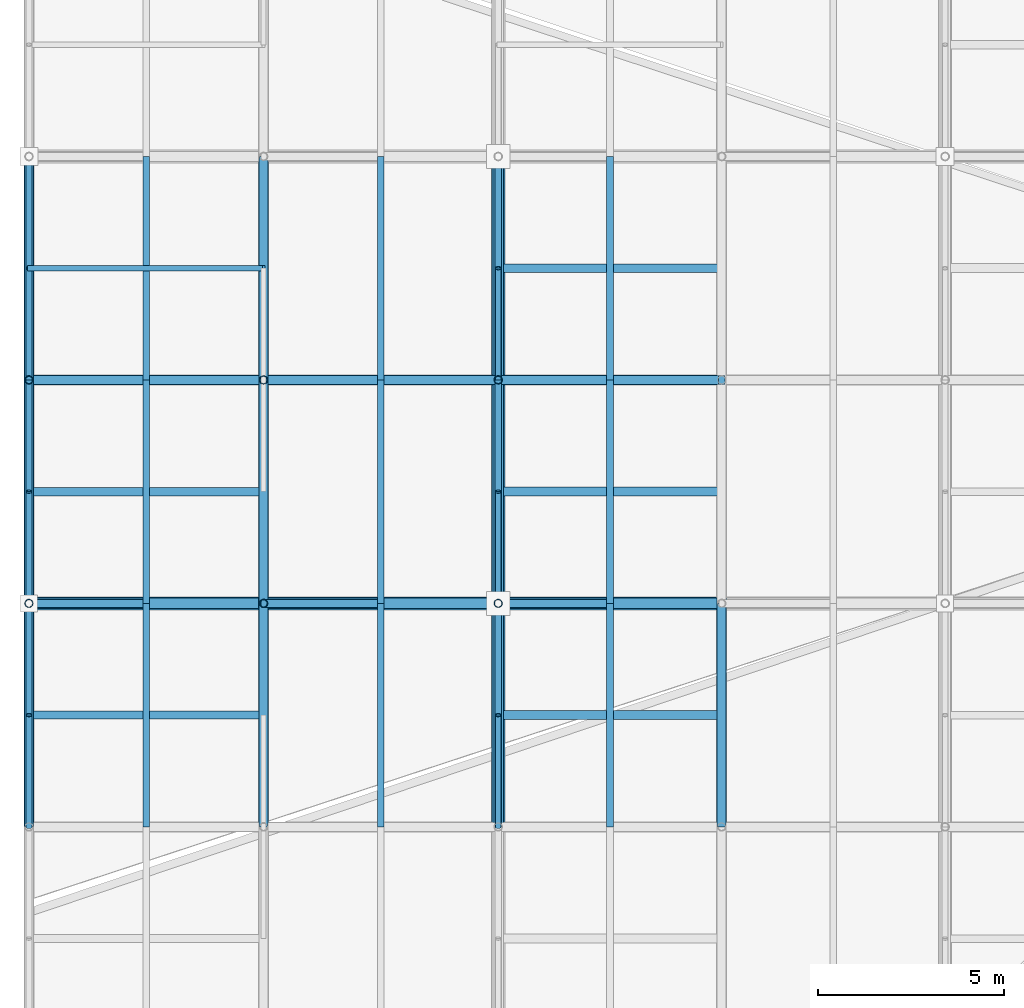
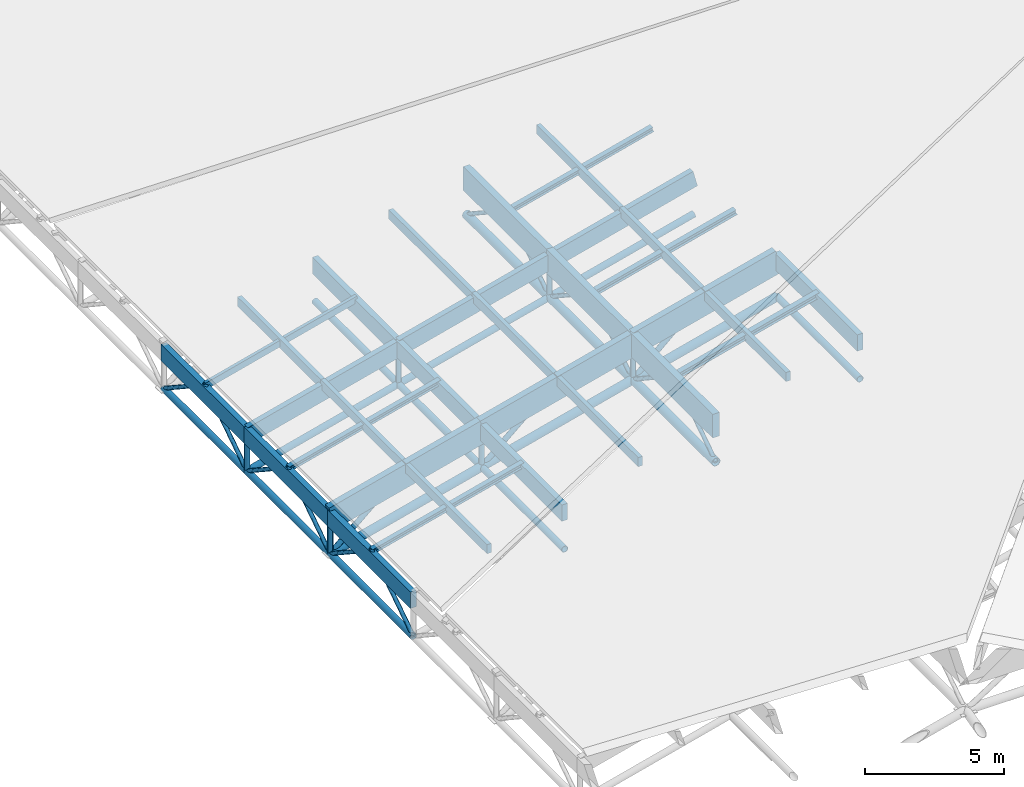
# One storey, part 14 of 80: 68 members.
"""IFC4 building model written with IfcOpenShell, lengths in metres."""

from ifc_helpers import new_model, si_unit, direction, frame, origin, origin_2d, place, context, subcontext, project, spatial, rectangle, hollow_circle, i_section, extrude, material, material_profile, profile_set, type_object, element, save


model = new_model("IFC4")

# Units and contexts
model_context = context("Model", 3, precision=1e-05, world=origin(), true_north=direction((0.0, 1.0)))
body_context = subcontext(model_context, "Body", "Model", "MODEL_VIEW")
ifc_project = project(units=[si_unit("LENGTHUNIT", "METRE"), si_unit("AREAUNIT", "SQUARE_METRE"), si_unit("VOLUMEUNIT", "CUBIC_METRE"), si_unit("PLANEANGLEUNIT", "RADIAN"), si_unit("MASSUNIT", "GRAM", prefix="KILO"), si_unit("THERMODYNAMICTEMPERATUREUNIT", "KELVIN"), si_unit("POWERUNIT", "WATT")], contexts=[model_context])

# Site, building, storey
site_placement = place(None, origin())
site = spatial("IfcSite", under=ifc_project, at=site_placement, CompositionType="ELEMENT")
building_placement = place(site_placement, origin())
building = spatial("IfcBuilding", under=site, at=building_placement, Name="Solmara Park Aquatics Centre", CompositionType="ELEMENT")
storey_placement = place(building_placement, frame((0.0, 0.0, 22.800048828125)))
storey = spatial("IfcBuildingStorey", under=building, at=storey_placement, Name="RF", CompositionType="ELEMENT", Elevation=22.800048828125)

# Members
ifc_material_1 = material(Name="Structural Steel S355", Category="steel")
ifc_material_profile_1 = material_profile(ifc_material_1, hollow_circle(Radius=0.084228515625, WallThickness=0.008056640625, at=origin_2d()), Name="CHS 168.3x8")
ifc_profile_set_1 = profile_set([ifc_material_profile_1], Name="Structural Steel S355")
member_type_1 = type_object("IfcMemberType", Name="STR-BRC-CHS168", PredefinedType="BRACE", material=ifc_profile_set_1)
for number, where, z_axis, x_axis, name in (
    (1, (0.0, 30.60009765625, -14.400146484375), (0.0, 0.834611904619, 0.550838423377), (-1.0, 0.0, 0.0), "Roof Truss Web Diagonal Y 1961"),
    (2, (0.0, 36.60009765625, -14.400146484375), (0.0, -0.834611904619, 0.550838423377), (1.0, 0.0, 0.0), "Roof Truss Web Diagonal Y 1962"),
    (3, (12.60009765625, 30.60009765625, -11.141357421875), (0.0, 0.834611904619, 0.550838423377), (-1.0, 0.0, 0.0), "Roof Truss Web Diagonal Y 1963"),
    (4, (12.60009765625, 36.60009765625, -11.141357421875), (0.0, -0.834611904619, 0.550838423377), (1.0, 0.0, 0.0), "Roof Truss Web Diagonal Y 1964"),
    (5, (0.0, 36.60009765625, -14.400146484375), (0.0, 0.834611904619, 0.550838423377), (-1.0, 0.0, 0.0), "Roof Truss Web Diagonal Y 1986"),
    (6, (0.0, 42.60009765625, -14.400146484375), (0.0, -0.834611904619, 0.550838423377), (1.0, 0.0, 0.0), "Roof Truss Web Diagonal Y 1987"),
    (7, (12.60009765625, 36.60009765625, -11.141357421875), (0.0, 0.834611904619, 0.550838423377), (-1.0, 0.0, 0.0), "Roof Truss Web Diagonal Y 1988"),
    (8, (12.60009765625, 42.60009765625, -11.141357421875), (0.0, -0.834611904619, 0.550838423377), (1.0, 0.0, 0.0), "Roof Truss Web Diagonal Y 1989"),
    (9, (0.0, 42.60009765625, -14.400146484375), (0.0, 0.834611904619, 0.550838423377), (-1.0, 0.0, 0.0), "Roof Truss Web Diagonal Y 2015"),
    (10, (0.0, 48.60009765625, -14.400146484375), (0.0, -0.834611904619, 0.550838423377), (1.0, 0.0, 0.0), "Roof Truss Web Diagonal Y 2016"),
    (11, (12.60009765625, 42.60009765625, -11.141357421875), (0.0, 0.834611904619, 0.550838423377), (-1.0, 0.0, 0.0), "Roof Truss Web Diagonal Y 2017"),
    (12, (12.60009765625, 48.60009765625, -11.141357421875), (0.0, -0.834611904619, 0.550838423377), (1.0, 0.0, 0.0), "Roof Truss Web Diagonal Y 2018"),
):
    element("IfcMember", number, at=place(storey_placement, frame(where, z_axis=z_axis, x_axis=x_axis)), inside=storey, type_object=member_type_1, Name=name, PredefinedType="BRACE", context=body_context, shape_type="SweptSolid", body=[
        extrude(hollow_circle(Radius=0.084228515625, WallThickness=0.008056640625, at=origin_2d()), origin(), (0.0, 0.0, 1.0), 3.594482421875),
    ])
ifc_material_profile_2 = material_profile(ifc_material_1, hollow_circle(Radius=0.109619140625, WallThickness=0.010009765625, at=origin_2d()), Name="CHS 219.1x10")
ifc_profile_set_2 = profile_set([ifc_material_profile_2], Name="Structural Steel S355")
member_type_2 = type_object("IfcMemberType", Name="STR-BRC-CHS219", PredefinedType="BRACE", material=ifc_profile_set_2)
for number, where, z_axis, x_axis, name in (
    (13, (0.0, 36.60009765625, -14.400146484375), (0.752757378615, 0.0, 0.658298054791), (0.0, 1.0, 0.0), "Roof Truss Web Diagonal X 1365"),
    (14, (6.300048828125, 36.60009765625, -12.770751953125), (0.752757378615, 0.0, 0.658298054791), (0.0, 1.0, 0.0), "Roof Truss Web Diagonal X 1389"),
):
    element("IfcMember", number, at=place(storey_placement, frame(where, z_axis=z_axis, x_axis=x_axis)), inside=storey, type_object=member_type_2, Name=name, PredefinedType="BRACE", context=body_context, shape_type="SweptSolid", body=[
        extrude(hollow_circle(Radius=0.109619140625, WallThickness=0.010009765625, at=origin_2d()), origin(), (0.0, 0.0, 1.0), 4.1845703125),
    ])
member_1_placement = place(storey_placement, frame((12.60009765625, 36.60009765625, -11.141357421875), z_axis=(0.741347083846, 0.0, 0.671121822974), x_axis=(0.0, 1.0, 0.0)))
element("IfcMember", 15, at=member_1_placement, inside=storey, type_object=member_type_2, Name="Roof Truss Web Diagonal X 1414", PredefinedType="BRACE", context=body_context, shape_type="SweptSolid", body=[
    extrude(hollow_circle(Radius=0.109619140625, WallThickness=0.010009765625, at=origin_2d()), origin(), (0.0, 0.0, 1.0), 4.046630859375),
])
ifc_material_profile_3 = material_profile(ifc_material_1, hollow_circle(Radius=0.136474609375, WallThickness=0.012451171875, at=origin_2d()), Name="CHS 273x12.5")
ifc_profile_set_3 = profile_set([ifc_material_profile_3], Name="Structural Steel S355")
member_type_3 = type_object("IfcMemberType", Name="STR-CHD-CHS273", PredefinedType="CHORD", material=ifc_profile_set_3)
for number, where, z_axis, x_axis, name in (
    (16, (0.0, 42.60009765625, -14.400146484375), (0.968144245908, 0.0, 0.25039312913), (0.0, 1.0, 0.0), "Steel Roof Truss Bottom Chord X 0254"),
    (17, (6.300048828125, 42.60009765625, -12.770751953125), (0.968144245908, 0.0, 0.25039312913), (0.0, 1.0, 0.0), "Steel Roof Truss Bottom Chord X 0256"),
):
    element("IfcMember", number, at=place(storey_placement, frame(where, z_axis=z_axis, x_axis=x_axis)), inside=storey, type_object=member_type_3, Name=name, PredefinedType="CHORD", context=body_context, shape_type="SweptSolid", body=[
        extrude(hollow_circle(Radius=0.136474609375, WallThickness=0.012451171875, at=origin_2d()), origin(), (0.0, 0.0, 1.0), 6.50732421875),
    ])
member_2_placement = place(storey_placement, frame((12.60009765625, 42.60009765625, -11.141357421875), z_axis=(0.968155143395, 0.0, 0.250350990246), x_axis=(0.0, 1.0, 0.0)))
element("IfcMember", 18, at=member_2_placement, inside=storey, type_object=member_type_3, Name="Steel Roof Truss Bottom Chord X 0258", PredefinedType="CHORD", context=body_context, shape_type="SweptSolid", body=[
    extrude(hollow_circle(Radius=0.136474609375, WallThickness=0.012451171875, at=origin_2d()), origin(), (0.0, 0.0, 1.0), 6.197265625),
])
for number, where, z_axis, x_axis, name in (
    (19, (0.0, 30.60009765625, -14.400146484375), (0.0, 1.0, 0.0), (-1.0, 0.0, 0.0), "Steel Roof Truss Bottom Chord Y 0552"),
    (20, (0.0, 36.60009765625, -14.400146484375), (0.0, 1.0, 0.0), (-1.0, 0.0, 0.0), "Steel Roof Truss Bottom Chord Y 0554"),
    (21, (0.0, 42.60009765625, -14.400146484375), (0.0, 1.0, 0.0), (-1.0, 0.0, 0.0), "Steel Roof Truss Bottom Chord Y 0556"),
    (22, (6.300048828125, 30.60009765625, -12.770751953125), (0.0, 1.0, 0.0), (-1.0, 0.0, 0.0), "Steel Roof Truss Bottom Chord Y 0580"),
    (23, (6.300048828125, 36.60009765625, -12.770751953125), (0.0, 1.0, 0.0), (-1.0, 0.0, 0.0), "Steel Roof Truss Bottom Chord Y 0582"),
    (24, (6.300048828125, 42.60009765625, -12.770751953125), (0.0, 1.0, 0.0), (-1.0, 0.0, 0.0), "Steel Roof Truss Bottom Chord Y 0584"),
    (25, (18.60009765625, 30.60009765625, -9.58984375), (0.0, 1.0, 0.0), (-1.0, 0.0, 0.0), "Steel Roof Truss Bottom Chord Y 0636"),
):
    element("IfcMember", number, at=place(storey_placement, frame(where, z_axis=z_axis, x_axis=x_axis)), inside=storey, type_object=member_type_3, Name=name, PredefinedType="CHORD", context=body_context, shape_type="SweptSolid", body=[
        extrude(hollow_circle(Radius=0.136474609375, WallThickness=0.012451171875, at=origin_2d()), origin(), (0.0, 0.0, 1.0), 6.0),
    ])
ifc_material_profile_4 = material_profile(ifc_material_1, hollow_circle(Radius=0.177734375, WallThickness=0.01611328125, at=origin_2d()), Name="CHS 355.6x16")
ifc_profile_set_4 = profile_set([ifc_material_profile_4], Name="Structural Steel S355")
member_type_4 = type_object("IfcMemberType", Name="STR-CHD-CHS355", PredefinedType="CHORD", material=ifc_profile_set_4)
for number, where, z_axis, x_axis, name in (
    (26, (0.0, 36.60009765625, -14.400146484375), (0.968144245908, 0.0, 0.25039312913), (0.0, 1.0, 0.0), "Steel Roof Truss Bottom Chord X 0218"),
    (27, (6.300048828125, 36.60009765625, -12.770751953125), (0.968144245908, 0.0, 0.25039312913), (0.0, 1.0, 0.0), "Steel Roof Truss Bottom Chord X 0220"),
):
    element("IfcMember", number, at=place(storey_placement, frame(where, z_axis=z_axis, x_axis=x_axis)), inside=storey, type_object=member_type_4, Name=name, PredefinedType="CHORD", context=body_context, shape_type="SweptSolid", body=[
        extrude(hollow_circle(Radius=0.177734375, WallThickness=0.01611328125, at=origin_2d()), origin(), (0.0, 0.0, 1.0), 6.50732421875),
    ])
member_3_placement = place(storey_placement, frame((12.60009765625, 36.60009765625, -11.141357421875), z_axis=(0.968155143395, 0.0, 0.250350990246), x_axis=(0.0, 1.0, 0.0)))
element("IfcMember", 28, at=member_3_placement, inside=storey, type_object=member_type_4, Name="Steel Roof Truss Bottom Chord X 0222", PredefinedType="CHORD", context=body_context, shape_type="SweptSolid", body=[
    extrude(hollow_circle(Radius=0.177734375, WallThickness=0.01611328125, at=origin_2d()), origin(), (0.0, 0.0, 1.0), 6.197265625),
])
for number, where, z_axis, x_axis, name in (
    (29, (12.60009765625, 30.60009765625, -11.141357421875), (0.0, 1.0, 0.0), (-1.0, 0.0, 0.0), "Steel Roof Truss Bottom Chord Y 0608"),
    (30, (12.60009765625, 36.60009765625, -11.141357421875), (0.0, 1.0, 0.0), (-1.0, 0.0, 0.0), "Steel Roof Truss Bottom Chord Y 0610"),
    (31, (12.60009765625, 42.60009765625, -11.141357421875), (0.0, 1.0, 0.0), (-1.0, 0.0, 0.0), "Steel Roof Truss Bottom Chord Y 0612"),
):
    element("IfcMember", number, at=place(storey_placement, frame(where, z_axis=z_axis, x_axis=x_axis)), inside=storey, type_object=member_type_4, Name=name, PredefinedType="CHORD", context=body_context, shape_type="SweptSolid", body=[
        extrude(hollow_circle(Radius=0.177734375, WallThickness=0.01611328125, at=origin_2d()), origin(), (0.0, 0.0, 1.0), 6.0),
    ])
ifc_material_2 = material(Name="Glulam Timber GL28h", Category="wood")
ifc_material_profile_5 = material_profile(ifc_material_2, rectangle(XDim=0.239990234375, YDim=0.719970703125, at=origin_2d()), Name="GL28h 240x720")
ifc_profile_set_5 = profile_set([ifc_material_profile_5], Name="Glulam Timber GL28h")
member_type_5 = type_object("IfcMemberType", Name="STR-CHD-GL240x720", PredefinedType="CHORD", material=ifc_profile_set_5)
for number, where, z_axis, x_axis, name in (
    (32, (0.0, 42.60009765625, -12.780029296875), (0.968144245908, 0.0, 0.25039312913), (0.0, 1.0, 0.0), "Glulam Roof Truss Top Chord X 0253"),
    (33, (6.300048828125, 42.60009765625, -11.150634765625), (0.96815334027, 0.0, 0.250357963171), (0.0, 1.0, 0.0), "Glulam Roof Truss Top Chord X 0255"),
):
    element("IfcMember", number, at=place(storey_placement, frame(where, z_axis=z_axis, x_axis=x_axis)), inside=storey, type_object=member_type_5, Name=name, PredefinedType="CHORD", context=body_context, shape_type="SweptSolid", body=[
        extrude(rectangle(XDim=0.239990234375, YDim=0.719970703125, at=origin_2d()), origin(), (0.0, 0.0, 1.0), 6.50732421875),
    ])
member_4_placement = place(storey_placement, frame((12.60009765625, 42.60009765625, -9.521484375), z_axis=(0.968145594442, 0.0, 0.250387914969), x_axis=(0.0, 1.0, 0.0)))
element("IfcMember", 34, at=member_4_placement, inside=storey, type_object=member_type_5, Name="Glulam Roof Truss Top Chord X 0257", PredefinedType="CHORD", context=body_context, shape_type="SweptSolid", body=[
    extrude(rectangle(XDim=0.239990234375, YDim=0.719970703125, at=origin_2d()), origin(), (0.0, 0.0, 1.0), 6.197509765625),
])
for number, where, z_axis, x_axis, name in (
    (35, (0.0, 30.60009765625, -12.780029296875), (0.0, 1.0, 0.0), (-1.0, 0.0, 0.0), "Glulam Roof Truss Top Chord Y 0551"),
    (36, (0.0, 36.60009765625, -12.780029296875), (0.0, 1.0, 0.0), (-1.0, 0.0, 0.0), "Glulam Roof Truss Top Chord Y 0553"),
    (37, (0.0, 42.60009765625, -12.780029296875), (0.0, 1.0, 0.0), (-1.0, 0.0, 0.0), "Glulam Roof Truss Top Chord Y 0555"),
    (38, (6.300048828125, 30.60009765625, -11.150634765625), (0.0, 1.0, 0.0), (-1.0, 0.0, 0.0), "Glulam Roof Truss Top Chord Y 0579"),
    (39, (6.300048828125, 36.60009765625, -11.150634765625), (0.0, 1.0, 0.0), (-1.0, 0.0, 0.0), "Glulam Roof Truss Top Chord Y 0581"),
    (40, (6.300048828125, 42.60009765625, -11.150634765625), (0.0, 1.0, 0.0), (-1.0, 0.0, 0.0), "Glulam Roof Truss Top Chord Y 0583"),
    (41, (18.60009765625, 30.60009765625, -7.9697265625), (0.0, 1.0, 0.0), (-1.0, 0.0, 0.0), "Glulam Roof Truss Top Chord Y 0635"),
):
    element("IfcMember", number, at=place(storey_placement, frame(where, z_axis=z_axis, x_axis=x_axis)), inside=storey, type_object=member_type_5, Name=name, PredefinedType="CHORD", context=body_context, shape_type="SweptSolid", body=[
        extrude(rectangle(XDim=0.239990234375, YDim=0.719970703125, at=origin_2d()), origin(), (0.0, 0.0, 1.0), 6.0),
    ])
ifc_material_profile_6 = material_profile(ifc_material_2, rectangle(XDim=0.280029296875, YDim=1.0400390625, at=origin_2d()), Name="GL28h 280x1040")
ifc_profile_set_6 = profile_set([ifc_material_profile_6], Name="Glulam Timber GL28h")
member_type_6 = type_object("IfcMemberType", Name="STR-CHD-GL280x1040", PredefinedType="CHORD", material=ifc_profile_set_6)
for number, where, z_axis, x_axis, name in (
    (42, (0.0, 36.60009765625, -12.780029296875), (0.968144245908, 0.0, 0.25039312913), (0.0, 1.0, 0.0), "Glulam Roof Truss Top Chord X 0217"),
    (43, (6.300048828125, 36.60009765625, -11.150634765625), (0.96815334027, 0.0, 0.250357963171), (0.0, 1.0, 0.0), "Glulam Roof Truss Top Chord X 0219"),
):
    element("IfcMember", number, at=place(storey_placement, frame(where, z_axis=z_axis, x_axis=x_axis)), inside=storey, type_object=member_type_6, Name=name, PredefinedType="CHORD", context=body_context, shape_type="SweptSolid", body=[
        extrude(rectangle(XDim=0.280029296875, YDim=1.0400390625, at=origin_2d()), origin(), (0.0, 0.0, 1.0), 6.50732421875),
    ])
member_5_placement = place(storey_placement, frame((12.60009765625, 36.60009765625, -9.521484375), z_axis=(0.968145594442, 0.0, 0.250387914969), x_axis=(0.0, 1.0, 0.0)))
element("IfcMember", 44, at=member_5_placement, inside=storey, type_object=member_type_6, Name="Glulam Roof Truss Top Chord X 0221", PredefinedType="CHORD", context=body_context, shape_type="SweptSolid", body=[
    extrude(rectangle(XDim=0.280029296875, YDim=1.0400390625, at=origin_2d()), origin(), (0.0, 0.0, 1.0), 6.197509765625),
])
for number, where, z_axis, x_axis, name in (
    (45, (12.60009765625, 30.60009765625, -9.521484375), (0.0, 1.0, 0.0), (-1.0, 0.0, 0.0), "Glulam Roof Truss Top Chord Y 0607"),
    (46, (12.60009765625, 36.60009765625, -9.521484375), (0.0, 1.0, 0.0), (-1.0, 0.0, 0.0), "Glulam Roof Truss Top Chord Y 0609"),
    (47, (12.60009765625, 42.60009765625, -9.521484375), (0.0, 1.0, 0.0), (-1.0, 0.0, 0.0), "Glulam Roof Truss Top Chord Y 0611"),
):
    element("IfcMember", number, at=place(storey_placement, frame(where, z_axis=z_axis, x_axis=x_axis)), inside=storey, type_object=member_type_6, Name=name, PredefinedType="CHORD", context=body_context, shape_type="SweptSolid", body=[
        extrude(rectangle(XDim=0.280029296875, YDim=1.0400390625, at=origin_2d()), origin(), (0.0, 0.0, 1.0), 6.0),
    ])
ifc_material_profile_7 = material_profile(ifc_material_2, rectangle(XDim=0.139892578125, YDim=0.280029296875, at=origin_2d()), Name="GL28h 140x280")
ifc_profile_set_7 = profile_set([ifc_material_profile_7], Name="Glulam Timber GL28h")
member_type_7 = type_object("IfcMemberType", Name="STR-PRL-GL140x280", PredefinedType="PURLIN", material=ifc_profile_set_7)
member_6_placement = place(storey_placement, frame((0.0, 45.60009765625, -12.43994140625), z_axis=(0.96815334027, 0.0, 0.250357963171), x_axis=(0.0, 1.0, 0.0)))
element("IfcMember", 48, at=member_6_placement, inside=storey, type_object=member_type_7, Name="Glulam Secondary Roof Purlin 2006", PredefinedType="PURLIN", context=body_context, shape_type="SweptSolid", body=[
    extrude(rectangle(XDim=0.139892578125, YDim=0.280029296875, at=origin_2d()), origin(), (0.0, 0.0, 1.0), 6.50732421875),
])
ifc_material_profile_8 = material_profile(ifc_material_2, rectangle(XDim=0.179931640625, YDim=0.39990234375, at=origin_2d()), Name="GL28h 180x400")
ifc_profile_set_8 = profile_set([ifc_material_profile_8], Name="Glulam Timber GL28h")
member_type_8 = type_object("IfcMemberType", Name="STR-PRL-GL180x400", PredefinedType="PURLIN", material=ifc_profile_set_8)
for number, where, z_axis, x_axis, name in (
    (49, (3.14990234375, 30.60009765625, -11.6455078125), (0.0, 1.0, 0.0), (-1.0, 0.0, 0.0), "Glulam Roof Purlin 1352"),
    (50, (3.14990234375, 36.60009765625, -11.6455078125), (0.0, 1.0, 0.0), (-1.0, 0.0, 0.0), "Glulam Roof Purlin 1353"),
    (51, (3.14990234375, 42.60009765625, -11.6455078125), (0.0, 1.0, 0.0), (-1.0, 0.0, 0.0), "Glulam Roof Purlin 1354"),
    (52, (9.449951171875, 30.60009765625, -10.01611328125), (0.0, 1.0, 0.0), (-1.0, 0.0, 0.0), "Glulam Roof Purlin 1376"),
    (53, (9.449951171875, 36.60009765625, -10.01611328125), (0.0, 1.0, 0.0), (-1.0, 0.0, 0.0), "Glulam Roof Purlin 1377"),
    (54, (9.449951171875, 42.60009765625, -10.01611328125), (0.0, 1.0, 0.0), (-1.0, 0.0, 0.0), "Glulam Roof Purlin 1378"),
    (55, (15.60009765625, 30.60009765625, -8.425537109375), (0.0, 1.0, 0.0), (-1.0, 0.0, 0.0), "Glulam Roof Purlin 1400"),
    (56, (15.60009765625, 36.60009765625, -8.425537109375), (0.0, 1.0, 0.0), (-1.0, 0.0, 0.0), "Glulam Roof Purlin 1401"),
    (57, (15.60009765625, 42.60009765625, -8.425537109375), (0.0, 1.0, 0.0), (-1.0, 0.0, 0.0), "Glulam Roof Purlin 1402"),
):
    element("IfcMember", number, at=place(storey_placement, frame(where, z_axis=z_axis, x_axis=x_axis)), inside=storey, type_object=member_type_8, Name=name, PredefinedType="PURLIN", context=body_context, shape_type="SweptSolid", body=[
        extrude(rectangle(XDim=0.179931640625, YDim=0.39990234375, at=origin_2d()), origin(), (0.0, 0.0, 1.0), 6.0),
    ])
ifc_material_profile_9 = material_profile(ifc_material_1, i_section(OverallWidth=0.219970703125, OverallDepth=0.2099609375, WebThickness=0.007080078125, FlangeThickness=0.010986328125, FilletRadius=0.01806640625, at=origin_2d()), Name="HEA 220")
ifc_profile_set_9 = profile_set([ifc_material_profile_9], Name="Structural Steel S355")
member_type_9 = type_object("IfcMemberType", Name="STR-PRL-HEA220", PredefinedType="PURLIN", material=ifc_profile_set_9)
for number, where, z_axis, x_axis, name in (
    (58, (0.0, 33.60009765625, -12.43994140625), (0.96815334027, 0.0, 0.250357963171), (0.0, 1.0, 0.0), "Glulam Secondary Roof Purlin 1952"),
    (59, (0.0, 39.60009765625, -12.43994140625), (0.96815334027, 0.0, 0.250357963171), (0.0, 1.0, 0.0), "Glulam Secondary Roof Purlin 1977"),
):
    element("IfcMember", number, at=place(storey_placement, frame(where, z_axis=z_axis, x_axis=x_axis)), inside=storey, type_object=member_type_9, Name=name, PredefinedType="PURLIN", context=body_context, shape_type="SweptSolid", body=[
        extrude(i_section(OverallWidth=0.219970703125, OverallDepth=0.2099609375, WebThickness=0.007080078125, FlangeThickness=0.010986328125, FilletRadius=0.01806640625, at=origin_2d()), origin(), (0.0, 0.0, 1.0), 6.50732421875),
    ])
member_7_placement = place(storey_placement, frame((12.60009765625, 45.60009765625, -9.181396484375), z_axis=(0.968145594442, 0.0, 0.250387914969), x_axis=(0.0, 1.0, 0.0)))
element("IfcMember", 60, at=member_7_placement, inside=storey, type_object=member_type_9, Name="Glulam Secondary Roof Purlin 2007", PredefinedType="PURLIN", context=body_context, shape_type="SweptSolid", body=[
    extrude(i_section(OverallWidth=0.219970703125, OverallDepth=0.2099609375, WebThickness=0.007080078125, FlangeThickness=0.010986328125, FilletRadius=0.01806640625, at=origin_2d()), origin(), (0.0, 0.0, 1.0), 6.197509765625),
])
ifc_material_profile_10 = material_profile(ifc_material_1, i_section(OverallWidth=0.239990234375, OverallDepth=0.22998046875, WebThickness=0.007568359375, FlangeThickness=0.011962890625, FilletRadius=0.02099609375, at=origin_2d()), Name="HEA 240")
ifc_profile_set_10 = profile_set([ifc_material_profile_10], Name="Structural Steel S355")
member_type_10 = type_object("IfcMemberType", Name="STR-PRL-HEA240", PredefinedType="PURLIN", material=ifc_profile_set_10)
for number, where, z_axis, x_axis, name in (
    (61, (12.60009765625, 33.60009765625, -9.181396484375), (0.968145594442, 0.0, 0.250387914969), (0.0, 1.0, 0.0), "Glulam Secondary Roof Purlin 1953"),
    (62, (12.60009765625, 39.60009765625, -9.181396484375), (0.968145594442, 0.0, 0.250387914969), (0.0, 1.0, 0.0), "Glulam Secondary Roof Purlin 1978"),
):
    element("IfcMember", number, at=place(storey_placement, frame(where, z_axis=z_axis, x_axis=x_axis)), inside=storey, type_object=member_type_10, Name=name, PredefinedType="PURLIN", context=body_context, shape_type="SweptSolid", body=[
        extrude(i_section(OverallWidth=0.239990234375, OverallDepth=0.22998046875, WebThickness=0.007568359375, FlangeThickness=0.011962890625, FilletRadius=0.02099609375, at=origin_2d()), origin(), (0.0, 0.0, 1.0), 6.197509765625),
    ])
ifc_material_profile_11 = material_profile(ifc_material_1, hollow_circle(Radius=0.109619140625, WallThickness=0.010009765625, at=origin_2d()), Name="CHS 219.1x10")
ifc_profile_set_11 = profile_set([ifc_material_profile_11], Name="Structural Steel S355")
member_type_11 = type_object("IfcMemberType", Name="STR-PST-CHS219", PredefinedType="POST", material=ifc_profile_set_11)
for number, where, z_axis, x_axis, name in (
    (63, (0.0, 36.60009765625, -14.400146484375), (0.0, 0.0, 1.0), (1.0, 0.0, 0.0), "Roof Truss Web Post 1079"),
    (64, (0.0, 42.60009765625, -14.400146484375), (0.0, 0.0, 1.0), (1.0, 0.0, 0.0), "Roof Truss Web Post 1080"),
    (65, (6.300048828125, 36.60009765625, -12.770751953125), (0.0, 0.0, 1.0), (1.0, 0.0, 0.0), "Roof Truss Web Post 1093"),
    (66, (6.300048828125, 42.60009765625, -12.770751953125), (0.0, 0.0, 1.0), (1.0, 0.0, 0.0), "Roof Truss Web Post 1094"),
):
    element("IfcMember", number, at=place(storey_placement, frame(where, z_axis=z_axis, x_axis=x_axis)), inside=storey, type_object=member_type_11, Name=name, PredefinedType="POST", context=body_context, shape_type="SweptSolid", body=[
        extrude(hollow_circle(Radius=0.109619140625, WallThickness=0.010009765625, at=origin_2d()), origin(), (0.0, 0.0, 1.0), 1.6201171875),
    ])
for number, where, z_axis, x_axis, name in (
    (67, (12.60009765625, 36.60009765625, -11.141357421875), (0.0, 0.0, 1.0), (1.0, 0.0, 0.0), "Roof Truss Web Post 1106"),
    (68, (12.60009765625, 42.60009765625, -11.141357421875), (0.0, 0.0, 1.0), (1.0, 0.0, 0.0), "Roof Truss Web Post 1107"),
):
    element("IfcMember", number, at=place(storey_placement, frame(where, z_axis=z_axis, x_axis=x_axis)), inside=storey, type_object=member_type_11, Name=name, PredefinedType="POST", context=body_context, shape_type="SweptSolid", body=[
        extrude(hollow_circle(Radius=0.109619140625, WallThickness=0.010009765625, at=origin_2d()), origin(), (0.0, 0.0, 1.0), 1.619873046875),
    ])

save(model, "model.ifc")
